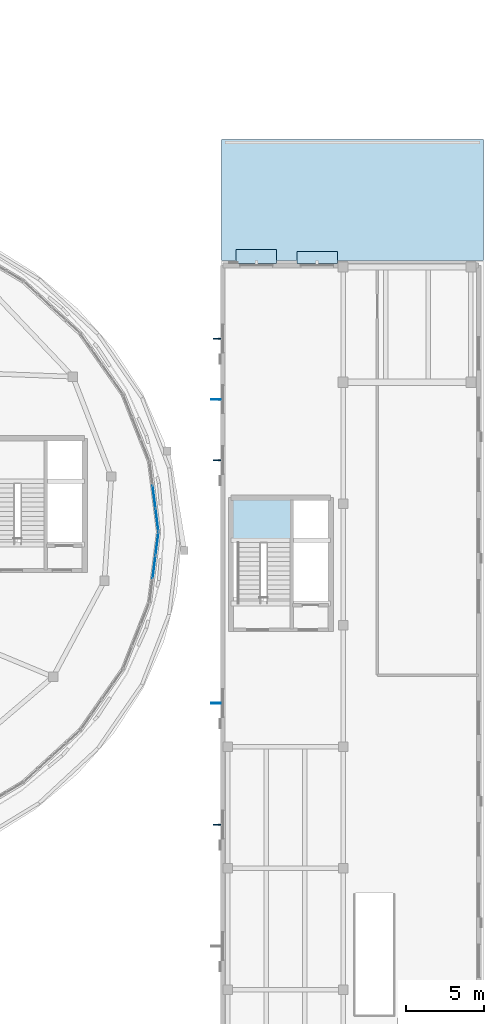
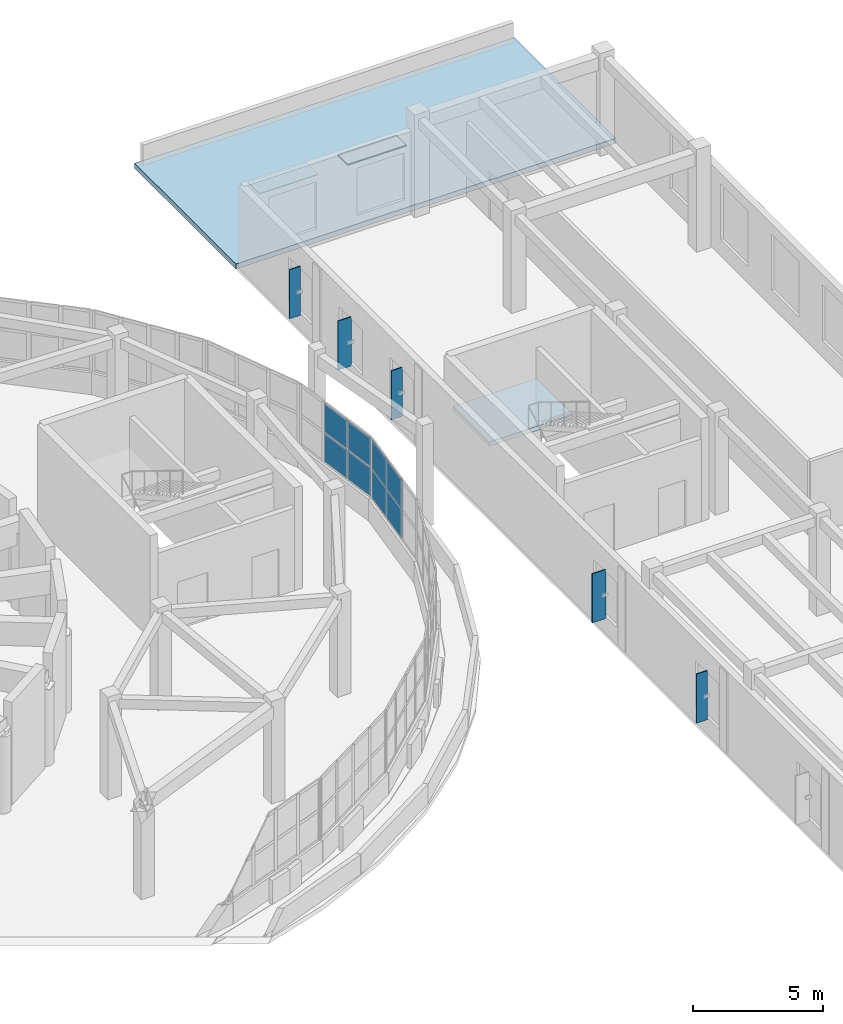
# One storey, part 52 of 69: 15 plates, 2 slabs, 3 elements without a shape of their own.
"""IFC4 building model written with IfcOpenShell, lengths in metres."""

from ifc_helpers import new_model, si_unit, direction, frame, origin, origin_2d, place, context, subcontext, project, spatial, polyline, rectangle, outline, extrude, material, layer, layer_set, type_object, element, aggregate, save


model = new_model("IFC4")

# Units and contexts
model_context = context("Model", 3, precision=1e-05, world=origin(), true_north=direction((0.0, 1.0)))
body_context = subcontext(model_context, "Body", "Model", "MODEL_VIEW")
ifc_project = project(units=[si_unit("LENGTHUNIT", "METRE"), si_unit("AREAUNIT", "SQUARE_METRE"), si_unit("VOLUMEUNIT", "CUBIC_METRE"), si_unit("PLANEANGLEUNIT", "RADIAN"), si_unit("MASSUNIT", "GRAM", prefix="KILO")], contexts=[model_context])

# Site, building, storey
site_placement = place(None, origin())
site = spatial("IfcSite", under=ifc_project, at=site_placement, CompositionType="ELEMENT")
building_placement = place(site_placement, origin())
building = spatial("IfcBuilding", under=site, at=building_placement, Name="Pelvatis Terrace Science Centre", CompositionType="ELEMENT")
storey_placement = place(building_placement, frame((0.0, 0.0, 15.0)))
storey = spatial("IfcBuildingStorey", under=building, at=storey_placement, Name="L03", CompositionType="ELEMENT", Elevation=15.0)

# Curtain wall, plates
ifc_material_1 = material(Name="Bronze-anodised aluminium and laminated glass", Category="aluminium")
ifc_layer_1 = layer(ifc_material_1, 0.179931640625)
ifc_layer_set_1 = layer_set([ifc_layer_1], Name="Bronze-anodised aluminium and laminated glass")
curtain_wall_type = type_object("IfcCurtainWallType", Name="CW-RIBBON-A", PredefinedType="NOTDEFINED", material=ifc_layer_set_1)
curtain_wall_1_placement = place(storey_placement, origin())
curtain_wall_1 = element("IfcCurtainWall", 1, at=curtain_wall_1_placement, inside=storey, type_object=curtain_wall_type, Name="Ribbon curtain wall CW-183 (L03)", PredefinedType="NOTDEFINED")
ifc_material_2 = material(Name="Low-e laminated solar-control double glazing", Category="glass")
ifc_layer_2 = layer(ifc_material_2, 0.035888671875)
ifc_layer_set_2 = layer_set([ifc_layer_2], Name="Low-e laminated solar-control double glazing")
plate_type_1 = type_object("IfcPlateType", Name="CWP-IGU-36", PredefinedType="CURTAIN_PANEL", material=ifc_layer_set_2)
plate_1_placement = place(storey_placement, frame((136.25244140625, 84.76513671875, 1.080078125), z_axis=(0.0, 0.0, 1.0), x_axis=(-0.126407659563, 0.991978378597, 0.0)))
plate_1 = element("IfcPlate", 2, at=plate_1_placement, type_object=plate_type_1, Name="CW-183 panel 1.1", PredefinedType="CURTAIN_PANEL", context=body_context, shape_type="SweptSolid", body=[
    extrude(rectangle(XDim=1.422607421875, YDim=0.035888671875, at=origin_2d()), origin(), (0.0, 0.0, 1.0), 1.3349609375),
])
plate_2_placement = place(storey_placement, frame((136.25244140625, 84.76513671875, 2.47509765625), z_axis=(0.0, 0.0, 1.0), x_axis=(-0.126407659563, 0.991978378597, 0.0)))
plate_2 = element("IfcPlate", 3, at=plate_2_placement, type_object=plate_type_1, Name="CW-183 panel 1.2", PredefinedType="CURTAIN_PANEL", context=body_context, shape_type="SweptSolid", body=[
    extrude(rectangle(XDim=1.422607421875, YDim=0.035888671875, at=origin_2d()), origin(), (0.0, 0.0, 1.0), 1.3349609375),
])
plate_3_placement = place(storey_placement, frame((136.063232421875, 86.250732421875, 1.080078125), z_axis=(0.0, 0.0, 1.0), x_axis=(-0.126407659563, 0.991978378597, 0.0)))
plate_3 = element("IfcPlate", 4, at=plate_3_placement, type_object=plate_type_1, Name="CW-183 panel 2.1", PredefinedType="CURTAIN_PANEL", context=body_context, shape_type="SweptSolid", body=[
    extrude(rectangle(XDim=1.45263671875, YDim=0.035888671875, at=origin_2d()), origin(), (0.0, 0.0, 1.0), 1.3349609375),
])
plate_4_placement = place(storey_placement, frame((136.063232421875, 86.250732421875, 2.47509765625), z_axis=(0.0, 0.0, 1.0), x_axis=(-0.126407659563, 0.991978378597, 0.0)))
plate_4 = element("IfcPlate", 5, at=plate_4_placement, type_object=plate_type_1, Name="CW-183 panel 2.2", PredefinedType="CURTAIN_PANEL", context=body_context, shape_type="SweptSolid", body=[
    extrude(rectangle(XDim=1.45263671875, YDim=0.035888671875, at=origin_2d()), origin(), (0.0, 0.0, 1.0), 1.3349609375),
])
aggregate(curtain_wall_1, [plate_1, plate_2, plate_3, plate_4])

curtain_wall_2_placement = place(storey_placement, origin())
curtain_wall_2 = element("IfcCurtainWall", 6, at=curtain_wall_2_placement, inside=storey, type_object=curtain_wall_type, Name="Ribbon curtain wall CW-212 (L03)", PredefinedType="NOTDEFINED")
plate_5_placement = place(storey_placement, frame((136.063232421875, 81.749267578125, 1.080078125), z_axis=(0.0, 0.0, 1.0), x_axis=(0.126407659563, 0.991978378597, 0.0)))
plate_5 = element("IfcPlate", 7, at=plate_5_placement, type_object=plate_type_1, Name="CW-212 panel 2.1", PredefinedType="CURTAIN_PANEL", context=body_context, shape_type="SweptSolid", body=[
    extrude(rectangle(XDim=1.45263671875, YDim=0.035888671875, at=origin_2d()), origin(), (0.0, 0.0, 1.0), 1.3349609375),
])
plate_6_placement = place(storey_placement, frame((136.063232421875, 81.749267578125, 2.47509765625), z_axis=(0.0, 0.0, 1.0), x_axis=(0.126407659563, 0.991978378597, 0.0)))
plate_6 = element("IfcPlate", 8, at=plate_6_placement, type_object=plate_type_1, Name="CW-212 panel 2.2", PredefinedType="CURTAIN_PANEL", context=body_context, shape_type="SweptSolid", body=[
    extrude(rectangle(XDim=1.45263671875, YDim=0.035888671875, at=origin_2d()), origin(), (0.0, 0.0, 1.0), 1.3349609375),
])
plate_7_placement = place(storey_placement, frame((136.25244140625, 83.23486328125, 1.080078125), z_axis=(0.0, 0.0, 1.0), x_axis=(0.126407659563, 0.991978378597, 0.0)))
plate_7 = element("IfcPlate", 9, at=plate_7_placement, type_object=plate_type_1, Name="CW-212 panel 3.1", PredefinedType="CURTAIN_PANEL", context=body_context, shape_type="SweptSolid", body=[
    extrude(rectangle(XDim=1.422607421875, YDim=0.035888671875, at=origin_2d()), origin(), (0.0, 0.0, 1.0), 1.3349609375),
])
plate_8_placement = place(storey_placement, frame((136.25244140625, 83.23486328125, 2.47509765625), z_axis=(0.0, 0.0, 1.0), x_axis=(0.126407659563, 0.991978378597, 0.0)))
plate_8 = element("IfcPlate", 10, at=plate_8_placement, type_object=plate_type_1, Name="CW-212 panel 3.2", PredefinedType="CURTAIN_PANEL", context=body_context, shape_type="SweptSolid", body=[
    extrude(rectangle(XDim=1.422607421875, YDim=0.035888671875, at=origin_2d()), origin(), (0.0, 0.0, 1.0), 1.3349609375),
])
aggregate(curtain_wall_2, [plate_5, plate_6, plate_7, plate_8])

# Plates
ifc_material_3 = material(Name="Perforated architectural bronze brise-soleil fin", Category="aluminium")
ifc_layer_3 = layer(ifc_material_3, 3.10009765625)
ifc_layer_set_3 = layer_set([ifc_layer_3], Name="Perforated architectural bronze brise-soleil fin")
plate_type_2 = type_object("IfcPlateType", Name="PLT-FIN-W480", PredefinedType="SHEET", material=ifc_layer_set_3)
for number, where, z_axis, x_axis, name in (
    (11, (140.1025390625, 65.199951171875, 0.68017578125), (0.0, 0.0, 1.0), (1.0, 0.0, 0.0), "West bronze brise-soleil fin 119"),
    (12, (140.1025390625, 88.60009765625, 0.68017578125), (0.0, 0.0, 1.0), (1.0, 0.0, 0.0), "West bronze brise-soleil fin 121"),
    (13, (140.1025390625, 96.39990234375, 0.68017578125), (0.0, 0.0, 1.0), (1.0, 0.0, 0.0), "West bronze brise-soleil fin 123"),
):
    element("IfcPlate", number, at=place(storey_placement, frame(where, z_axis=z_axis, x_axis=x_axis)), inside=storey, type_object=plate_type_2, Name=name, PredefinedType="SHEET", context=body_context, shape_type="SweptSolid", body=[
        extrude(rectangle(XDim=0.47998046875, YDim=0.044921875, at=origin_2d()), origin(), (0.0, 0.0, 1.0), 2.300048828125),
    ])
ifc_material_4 = material(Name="Perforated architectural bronze brise-soleil fin", Category="aluminium")
ifc_layer_4 = layer(ifc_material_4, 3.39990234375)
ifc_layer_set_4 = layer_set([ifc_layer_4], Name="Perforated architectural bronze brise-soleil fin")
plate_type_3 = type_object("IfcPlateType", Name="PLT-FIN-W600", PredefinedType="SHEET", material=ifc_layer_set_4)
for number, where, z_axis, x_axis, name in (
    (14, (140.04248046875, 73.0, 0.68017578125), (0.0, 0.0, 1.0), (1.0, 0.0, 0.0), "West bronze brise-soleil fin 120"),
    (15, (140.04248046875, 92.5, 0.68017578125), (0.0, 0.0, 1.0), (1.0, 0.0, 0.0), "West bronze brise-soleil fin 122"),
):
    element("IfcPlate", number, at=place(storey_placement, frame(where, z_axis=z_axis, x_axis=x_axis)), inside=storey, type_object=plate_type_3, Name=name, PredefinedType="SHEET", context=body_context, shape_type="SweptSolid", body=[
        extrude(rectangle(XDim=0.60009765625, YDim=0.044921875, at=origin_2d()), origin(), (0.0, 0.0, 1.0), 2.300048828125),
    ])
ifc_material_5 = material(Name="Perforated architectural bronze sunshade canopy", Category="aluminium")
ifc_layer_5 = layer(ifc_material_5, 0.0400390625)
ifc_layer_set_5 = layer_set([ifc_layer_5], Name="Perforated architectural bronze sunshade canopy")
plate_type_4 = type_object("IfcPlateType", Name="PLT-SHD-N750", PredefinedType="SHEET", material=ifc_layer_set_5)
plate_9_placement = place(storey_placement, frame((146.530029296875, 101.612548828125, 3.03759765625), z_axis=(0.0, 0.0, 1.0), x_axis=(1.0, 0.0, 0.0)))
element("IfcPlate", 16, at=plate_9_placement, inside=storey, type_object=plate_type_4, Name="North solar sunshade 115", PredefinedType="SHEET", context=body_context, shape_type="SweptSolid", body=[
    extrude(rectangle(XDim=2.60009765625, YDim=0.75, at=origin_2d()), origin(), (0.0, 0.0, 1.0), 0.044921875),
])
ifc_material_6 = material(Name="Perforated architectural bronze sunshade canopy", Category="aluminium")
ifc_layer_6 = layer(ifc_material_6, 0.044921875)
ifc_layer_set_6 = layer_set([ifc_layer_6], Name="Perforated architectural bronze sunshade canopy")
plate_type_5 = type_object("IfcPlateType", Name="PLT-SHD-N900", PredefinedType="SHEET", material=ifc_layer_set_6)
plate_10_placement = place(storey_placement, frame((142.6298828125, 101.6875, 3.03759765625), z_axis=(0.0, 0.0, 1.0), x_axis=(1.0, 0.0, 0.0)))
element("IfcPlate", 17, at=plate_10_placement, inside=storey, type_object=plate_type_5, Name="North solar sunshade 114", PredefinedType="SHEET", context=body_context, shape_type="SweptSolid", body=[
    extrude(rectangle(XDim=2.60009765625, YDim=0.89990234375, at=origin_2d()), origin(), (0.0, 0.0, 1.0), 0.044921875),
])

# Stair, slab
ifc_material_7 = material(Name="Concrete C35/45", Category="concrete")
stair_type = type_object("IfcStairType", Name="STR-2RUN-1500-48", PredefinedType="TWO_STRAIGHT_RUN_STAIR", material=ifc_material_7)
stair_placement = place(storey_placement, origin())
stair = element("IfcStair", 18, at=stair_placement, inside=storey, type_object=stair_type, Name="Protected core stair ST-03-L03", PredefinedType="TWO_STRAIGHT_RUN_STAIR")
ifc_material_8 = material(Name="Concrete C35/45", Category="concrete")
ifc_layer_7 = layer(ifc_material_8, 0.199951171875)
ifc_layer_set_7 = layer_set([ifc_layer_7], Name="Concrete C35/45")
slab_type_1 = type_object("IfcSlabType", Name="SLB-LND-200", PredefinedType="LANDING", material=ifc_layer_set_7)
slab_1_placement = place(storey_placement, frame((0.0, 0.0, 2.199951171875)))
slab_1 = element("IfcSlab", 19, at=slab_1_placement, type_object=slab_type_1, Name="ST-03-L03 landing 1", PredefinedType="LANDING", context=body_context, shape_type="SweptSolid", body=[
    extrude(outline(polyline([(141.1298828125, 83.300048828125), (144.85009765625, 83.300048828125), (144.85009765625, 86.070068359375), (141.1298828125, 86.070068359375), (141.1298828125, 83.300048828125)])), origin(), (0.0, 0.0, 1.0), 0.199951171875),
])
aggregate(stair, [slab_1])

# Slab
ifc_material_9 = material(Name="Concrete C35/45", Category="concrete")
ifc_layer_8 = layer(ifc_material_9, 0.236083984375)
ifc_layer_set_8 = layer_set([ifc_layer_8], Name="Concrete C35/45")
slab_type_2 = type_object("IfcSlabType", Name="SLB-ROOF-236", PredefinedType="ROOF", material=ifc_layer_set_8)
slab_2_placement = place(storey_placement, frame((0.0, 0.0, -0.236083984375)))
element("IfcSlab", 20, at=slab_2_placement, inside=storey, type_object=slab_type_2, Name="L03 North library wing stepped roof slab", PredefinedType="ROOF", context=body_context, shape_type="SweptSolid", body=[
    extrude(outline(polyline([(140.39990234375, 109.199951171875), (157.199951171875, 109.199951171875), (157.199951171875, 101.419921875), (140.39990234375, 101.419921875), (140.39990234375, 109.199951171875)])), origin(), (0.0, 0.0, 1.0), 0.236083984375),
])

save(model, "model.ifc")
